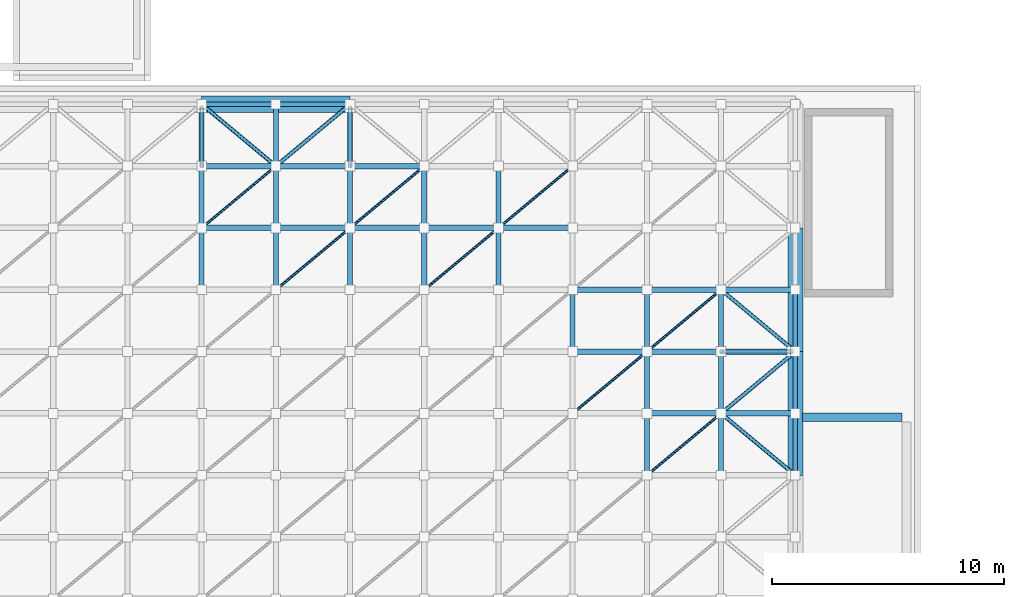
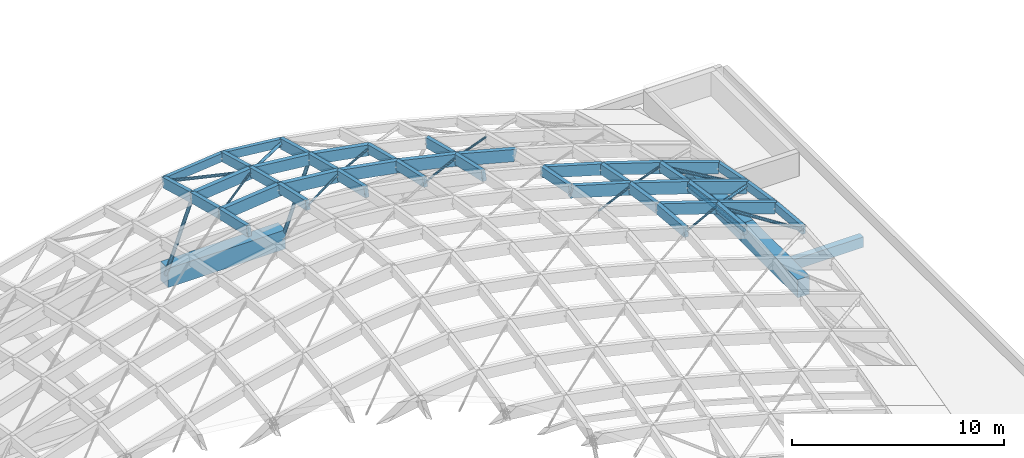
# One storey, part 21 of 40: 57 members, 4 beams.
"""IFC4 building model written with IfcOpenShell, lengths in metres."""

from ifc_helpers import new_model, si_unit, direction, frame, origin, origin_2d, place, context, subcontext, project, spatial, rectangle, hollow_circle, extrude, material, material_profile, profile_set, type_object, element, save


model = new_model("IFC4")

# Units and contexts
model_context = context("Model", 3, precision=1e-05, world=origin(), true_north=direction((0.0, 1.0)))
body_context = subcontext(model_context, "Body", "Model", "MODEL_VIEW")
ifc_project = project(units=[si_unit("LENGTHUNIT", "METRE"), si_unit("AREAUNIT", "SQUARE_METRE"), si_unit("VOLUMEUNIT", "CUBIC_METRE"), si_unit("PLANEANGLEUNIT", "RADIAN"), si_unit("MASSUNIT", "GRAM", prefix="KILO")], contexts=[model_context])

# Site, building, storey
site_placement = place(None, origin())
site = spatial("IfcSite", under=ifc_project, at=site_placement, CompositionType="ELEMENT")
building_placement = place(site_placement, origin())
building = spatial("IfcBuilding", under=site, at=building_placement, Name="Mzevani Central Library", CompositionType="ELEMENT")
storey_placement = place(building_placement, frame((0.0, 0.0, 26.699951171875)))
storey = spatial("IfcBuildingStorey", under=building, at=storey_placement, Name="RF", CompositionType="ELEMENT", Elevation=26.699951171875)

# Beam
ifc_material_1 = material(Name="Concrete C35/45", Category="concrete")
ifc_material_profile_1 = material_profile(ifc_material_1, rectangle(XDim=0.35009765625, YDim=0.60009765625, at=origin_2d()), Name="RC B350x600")
ifc_profile_set_1 = profile_set([ifc_material_profile_1], Name="Concrete C35/45")
beam_type_1 = type_object("IfcBeamType", Name="Beam RC 350x600", PredefinedType="BEAM", material=ifc_profile_set_1)
beam_1_placement = place(storey_placement, frame((159.300048828125, 61.60009765625, -13.4599609375), z_axis=(1.0, 0.0, 0.0), x_axis=(0.0, 1.0, 0.0)))
element("IfcBeam", 1, at=beam_1_placement, inside=storey, type_object=beam_type_1, Name="RF V1 Girder B-04 (159)", PredefinedType="BEAM", context=body_context, shape_type="SweptSolid", body=[
    extrude(rectangle(XDim=0.35009765625, YDim=0.60009765625, at=origin_2d()), origin(), (0.0, 0.0, 1.0), 4.300048828125),
])

# Members
ifc_material_2 = material(Name="Steel S355J2", Category="steel")
ifc_material_profile_2 = material_profile(ifc_material_2, hollow_circle(Radius=0.096923828125, WallThickness=0.010009765625, at=origin_2d()), Name="CHS 193.7x10.0")
ifc_profile_set_2 = profile_set([ifc_material_profile_2], Name="Steel S355J2")
member_type_1 = type_object("IfcMemberType", Name="Gridshell Corner Raker CHS 193.7", PredefinedType="BRACE", material=ifc_profile_set_2)
for number, where, z_axis, x_axis, name in (
    (2, (133.39990234375, 74.949951171875, -12.949951171875), (0.0, -0.387324471873, 0.921943465451), (1.0, 0.0, 0.0), "RF Gridshell North Springing Raker 3"),
    (3, (139.800048828125, 74.949951171875, -12.949951171875), (0.0, -0.387324471873, 0.921943465451), (1.0, 0.0, 0.0), "RF Gridshell North Springing Raker 4"),
):
    element("IfcMember", number, at=place(storey_placement, frame(where, z_axis=z_axis, x_axis=x_axis)), inside=storey, type_object=member_type_1, Name=name, PredefinedType="BRACE", context=body_context, shape_type="SweptSolid", body=[
        extrude(hollow_circle(Radius=0.096923828125, WallThickness=0.010009765625, at=origin_2d()), origin(), (0.0, 0.0, 1.0), 6.497314453125),
    ])
member_1_placement = place(storey_placement, frame((158.85009765625, 64.433349609375, -12.949951171875), z_axis=(-0.641107649177, 0.0, 0.767450964015), x_axis=(0.0, -1.0, 0.0)))
element("IfcMember", 4, at=member_1_placement, inside=storey, type_object=member_type_1, Name="RF Gridshell East Springing Raker 4", PredefinedType="BRACE", context=body_context, shape_type="SweptSolid", body=[
    extrude(hollow_circle(Radius=0.096923828125, WallThickness=0.010009765625, at=origin_2d()), origin(), (0.0, 0.0, 1.0), 4.757568359375),
])
ifc_material_profile_3 = material_profile(ifc_material_2, hollow_circle(Radius=0.05712890625, WallThickness=0.00634765625, at=origin_2d()), Name="CHS 114.3x6.3")
ifc_profile_set_3 = profile_set([ifc_material_profile_3], Name="Steel S355J2")
member_type_2 = type_object("IfcMemberType", Name="Gridshell Diagonal Brace CHS 114.3", PredefinedType="BRACE", material=ifc_profile_set_3)
member_2_placement = place(storey_placement, frame((133.39990234375, 69.7666015625, -6.2607421875), z_axis=(0.765599027774, 0.63797972081, -0.082704319753), x_axis=(-0.640172870191, 0.768230887345, 0.0)))
element("IfcMember", 5, at=member_2_placement, inside=storey, type_object=member_type_2, Name="RF Gridshell Steel Diagonal 7.11", PredefinedType="BRACE", context=body_context, shape_type="SweptSolid", body=[
    extrude(hollow_circle(Radius=0.05712890625, WallThickness=0.00634765625, at=origin_2d()), origin(), (0.0, 0.0, 1.0), 4.179931640625),
])
member_3_placement = place(storey_placement, frame((136.60009765625, 67.10009765625, -5.3212890625), z_axis=(0.749411248531, 0.624480785569, -0.220014838205), x_axis=(-0.640167103973, 0.768235692344, 0.0)))
element("IfcMember", 6, at=member_3_placement, inside=storey, type_object=member_type_2, Name="RF Gridshell Steel Diagonal 8.10", PredefinedType="BRACE", context=body_context, shape_type="SweptSolid", body=[
    extrude(hollow_circle(Radius=0.05712890625, WallThickness=0.00634765625, at=origin_2d()), origin(), (0.0, 0.0, 1.0), 4.27001953125),
])
member_4_placement = place(storey_placement, frame((139.800048828125, 69.7666015625, -6.2607421875), z_axis=(0.735482172478, 0.612929867245, -0.288761063521), x_axis=(-0.640201694382, 0.768206867003, 0.0)))
element("IfcMember", 7, at=member_4_placement, inside=storey, type_object=member_type_2, Name="RF Gridshell Steel Diagonal 9.11", PredefinedType="BRACE", context=body_context, shape_type="SweptSolid", body=[
    extrude(hollow_circle(Radius=0.05712890625, WallThickness=0.00634765625, at=origin_2d()), origin(), (0.0, 0.0, 1.0), 4.350830078125),
])
member_5_placement = place(storey_placement, frame((143.0, 67.10009765625, -6.231689453125), z_axis=(0.731581278638, 0.609623157495, -0.305202291264), x_axis=(-0.640167103973, 0.768235692344, 0.0)))
element("IfcMember", 8, at=member_5_placement, inside=storey, type_object=member_type_2, Name="RF Gridshell Steel Diagonal 10.10", PredefinedType="BRACE", context=body_context, shape_type="SweptSolid", body=[
    extrude(hollow_circle(Radius=0.05712890625, WallThickness=0.00634765625, at=origin_2d()), origin(), (0.0, 0.0, 1.0), 4.3740234375),
])
member_6_placement = place(storey_placement, frame((146.199951171875, 69.7666015625, -7.566650390625), z_axis=(0.721237530893, 0.601058789193, -0.344303290669), x_axis=(-0.640201694382, 0.768206867003, 0.0)))
element("IfcMember", 9, at=member_6_placement, inside=storey, type_object=member_type_2, Name="RF Gridshell Steel Diagonal 11.11", PredefinedType="BRACE", context=body_context, shape_type="SweptSolid", body=[
    extrude(hollow_circle(Radius=0.05712890625, WallThickness=0.00634765625, at=origin_2d()), origin(), (0.0, 0.0, 1.0), 4.436767578125),
])
member_7_placement = place(storey_placement, frame((149.39990234375, 61.7666015625, -6.875732421875), z_axis=(0.730151201, 0.608440766595, -0.310932560572), x_axis=(-0.640172870191, 0.768230887345, 0.0)))
element("IfcMember", 10, at=member_7_placement, inside=storey, type_object=member_type_2, Name="RF Gridshell Steel Diagonal 12.8", PredefinedType="BRACE", context=body_context, shape_type="SweptSolid", body=[
    extrude(hollow_circle(Radius=0.05712890625, WallThickness=0.00634765625, at=origin_2d()), origin(), (0.0, 0.0, 1.0), 4.3828125),
])
member_8_placement = place(storey_placement, frame((152.60009765625, 59.10009765625, -7.587890625), z_axis=(0.734415723871, 0.611985087061, -0.293441302045), x_axis=(-0.640167103973, 0.768235692344, 0.0)))
element("IfcMember", 11, at=member_8_placement, inside=storey, type_object=member_type_2, Name="RF Gridshell Steel Diagonal 13.7", PredefinedType="BRACE", context=body_context, shape_type="SweptSolid", body=[
    extrude(hollow_circle(Radius=0.05712890625, WallThickness=0.00634765625, at=origin_2d()), origin(), (0.0, 0.0, 1.0), 4.357177734375),
])
member_9_placement = place(storey_placement, frame((152.60009765625, 64.433349609375, -8.238525390625), z_axis=(0.719352413109, 0.599487785793, -0.350922356711), x_axis=(-0.640201694382, 0.768206867003, 0.0)))
element("IfcMember", 12, at=member_9_placement, inside=storey, type_object=member_type_2, Name="RF Gridshell Steel Diagonal 13.9", PredefinedType="BRACE", context=body_context, shape_type="SweptSolid", body=[
    extrude(hollow_circle(Radius=0.05712890625, WallThickness=0.00634765625, at=origin_2d()), origin(), (0.0, 0.0, 1.0), 4.448486328125),
])
ifc_material_3 = material(Name="Glulam GL28h", Category="wood")
ifc_material_profile_4 = material_profile(ifc_material_3, rectangle(XDim=0.199951171875, YDim=0.47998046875, at=origin_2d()), Name="GL28h 200x480")
ifc_profile_set_4 = profile_set([ifc_material_profile_4], Name="Glulam GL28h")
member_type_3 = type_object("IfcMemberType", Name="Gridshell Edge Rib GL28h 200x480", PredefinedType="RAFTER", material=ifc_profile_set_4)
member_10_placement = place(storey_placement, frame((133.39990234375, 75.10009765625, -7.6533203125), z_axis=(0.994621666406, 0.0, 0.103574807342), x_axis=(0.0, 1.0, 0.0)))
element("IfcMember", 13, at=member_10_placement, inside=storey, type_object=member_type_3, Name="RF Gridshell Glulam Arch Rib X13.7", PredefinedType="RAFTER", context=body_context, shape_type="SweptSolid", body=[
    extrude(rectangle(XDim=0.199951171875, YDim=0.47998046875, at=origin_2d()), origin(), (0.0, 0.0, 1.0), 3.217529296875),
])
member_11_placement = place(storey_placement, frame((136.60009765625, 75.10009765625, -7.320068359375), z_axis=(0.994620852304, 0.0, -0.103582624811), x_axis=(0.0, 1.0, 0.0)))
element("IfcMember", 14, at=member_11_placement, inside=storey, type_object=member_type_3, Name="RF Gridshell Glulam Arch Rib X13.8", PredefinedType="RAFTER", context=body_context, shape_type="SweptSolid", body=[
    extrude(rectangle(XDim=0.199951171875, YDim=0.47998046875, at=origin_2d()), origin(), (0.0, 0.0, 1.0), 3.21728515625),
])
member_12_placement = place(storey_placement, frame((159.0, 59.10009765625, -9.719970703125), z_axis=(0.0, 0.996039147696, -0.088915781817), x_axis=(-1.0, 0.0, 0.0)))
element("IfcMember", 15, at=member_12_placement, inside=storey, type_object=member_type_3, Name="RF Gridshell Glulam Transverse Rib Y15.7", PredefinedType="RAFTER", context=body_context, shape_type="SweptSolid", body=[
    extrude(rectangle(XDim=0.199951171875, YDim=0.47998046875, at=origin_2d()), origin(), (0.0, 0.0, 1.0), 2.677001953125),
])
member_13_placement = place(storey_placement, frame((159.0, 61.7666015625, -9.9580078125), z_axis=(0.0, 0.988241642061, -0.152900153354), x_axis=(-1.0, 0.0, 0.0)))
element("IfcMember", 16, at=member_13_placement, inside=storey, type_object=member_type_3, Name="RF Gridshell Glulam Transverse Rib Y15.8", PredefinedType="RAFTER", context=body_context, shape_type="SweptSolid", body=[
    extrude(rectangle(XDim=0.199951171875, YDim=0.47998046875, at=origin_2d()), origin(), (0.0, 0.0, 1.0), 2.698486328125),
])
member_14_placement = place(storey_placement, frame((159.0, 64.433349609375, -10.37060546875), z_axis=(0.0, 0.981479055934, -0.191569472421), x_axis=(-1.0, 0.0, 0.0)))
element("IfcMember", 17, at=member_14_placement, inside=storey, type_object=member_type_3, Name="RF Gridshell Glulam Transverse Rib Y15.9", PredefinedType="RAFTER", context=body_context, shape_type="SweptSolid", body=[
    extrude(rectangle(XDim=0.199951171875, YDim=0.47998046875, at=origin_2d()), origin(), (0.0, 0.0, 1.0), 2.717041015625),
])
ifc_material_profile_5 = material_profile(ifc_material_3, rectangle(XDim=0.239990234375, YDim=0.6201171875, at=origin_2d()), Name="GL28h 240x620")
ifc_profile_set_5 = profile_set([ifc_material_profile_5], Name="Glulam GL28h")
member_type_4 = type_object("IfcMemberType", Name="Gridshell Primary Rib GL28h 240x620", PredefinedType="RAFTER", material=ifc_profile_set_5)
member_15_placement = place(storey_placement, frame((152.60009765625, 61.7666015625, -7.865966796875), z_axis=(0.950986603107, 0.0, -0.30923208228), x_axis=(0.0, 1.0, 0.0)))
element("IfcMember", 18, at=member_15_placement, inside=storey, type_object=member_type_4, Name="RF Gridshell Glulam Arch Rib X8.13", PredefinedType="RAFTER", context=body_context, shape_type="SweptSolid", body=[
    extrude(rectangle(XDim=0.239990234375, YDim=0.6201171875, at=origin_2d()), origin(), (0.0, 0.0, 1.0), 3.364990234375),
])
member_16_placement = place(storey_placement, frame((155.800048828125, 61.7666015625, -8.906494140625), z_axis=(0.943711214964, 0.0, -0.330770528843), x_axis=(0.0, 1.0, 0.0)))
element("IfcMember", 19, at=member_16_placement, inside=storey, type_object=member_type_4, Name="RF Gridshell Glulam Arch Rib X8.14", PredefinedType="RAFTER", context=body_context, shape_type="SweptSolid", body=[
    extrude(rectangle(XDim=0.239990234375, YDim=0.6201171875, at=origin_2d()), origin(), (0.0, 0.0, 1.0), 3.390869140625),
])
member_17_placement = place(storey_placement, frame((149.39990234375, 67.10009765625, -7.848876953125), z_axis=(0.958635641973, 0.0, -0.284636093879), x_axis=(0.0, 1.0, 0.0)))
element("IfcMember", 20, at=member_17_placement, inside=storey, type_object=member_type_4, Name="RF Gridshell Glulam Arch Rib X10.12", PredefinedType="RAFTER", context=body_context, shape_type="SweptSolid", body=[
    extrude(rectangle(XDim=0.239990234375, YDim=0.6201171875, at=origin_2d()), origin(), (0.0, 0.0, 1.0), 3.33837890625),
])
member_18_placement = place(storey_placement, frame((152.60009765625, 67.10009765625, -8.799072265625), z_axis=(0.950986603107, 0.0, -0.30923208228), x_axis=(0.0, 1.0, 0.0)))
element("IfcMember", 21, at=member_18_placement, inside=storey, type_object=member_type_4, Name="RF Gridshell Glulam Arch Rib X10.13", PredefinedType="RAFTER", context=body_context, shape_type="SweptSolid", body=[
    extrude(rectangle(XDim=0.239990234375, YDim=0.6201171875, at=origin_2d()), origin(), (0.0, 0.0, 1.0), 3.364990234375),
])
member_19_placement = place(storey_placement, frame((155.800048828125, 67.10009765625, -9.839599609375), z_axis=(0.943711214964, 0.0, -0.330770528843), x_axis=(0.0, 1.0, 0.0)))
element("IfcMember", 22, at=member_19_placement, inside=storey, type_object=member_type_4, Name="RF Gridshell Glulam Arch Rib X10.14", PredefinedType="RAFTER", context=body_context, shape_type="SweptSolid", body=[
    extrude(rectangle(XDim=0.239990234375, YDim=0.6201171875, at=origin_2d()), origin(), (0.0, 0.0, 1.0), 3.390869140625),
])
member_20_placement = place(storey_placement, frame((133.39990234375, 72.433349609375, -6.979736328125), z_axis=(0.994621666406, 0.0, 0.103574807342), x_axis=(0.0, 1.0, 0.0)))
element("IfcMember", 23, at=member_20_placement, inside=storey, type_object=member_type_4, Name="RF Gridshell Glulam Arch Rib X12.7", PredefinedType="RAFTER", context=body_context, shape_type="SweptSolid", body=[
    extrude(rectangle(XDim=0.239990234375, YDim=0.6201171875, at=origin_2d()), origin(), (0.0, 0.0, 1.0), 3.217529296875),
])
member_21_placement = place(storey_placement, frame((136.60009765625, 72.433349609375, -6.646484375), z_axis=(0.994620852304, 0.0, -0.103582624811), x_axis=(0.0, 1.0, 0.0)))
element("IfcMember", 24, at=member_21_placement, inside=storey, type_object=member_type_4, Name="RF Gridshell Glulam Arch Rib X12.8", PredefinedType="RAFTER", context=body_context, shape_type="SweptSolid", body=[
    extrude(rectangle(XDim=0.239990234375, YDim=0.6201171875, at=origin_2d()), origin(), (0.0, 0.0, 1.0), 3.21728515625),
])
member_22_placement = place(storey_placement, frame((139.800048828125, 72.433349609375, -6.979736328125), z_axis=(0.984108094626, 0.0, -0.177570431357), x_axis=(0.0, 1.0, 0.0)))
element("IfcMember", 25, at=member_22_placement, inside=storey, type_object=member_type_4, Name="RF Gridshell Glulam Arch Rib X12.9", PredefinedType="RAFTER", context=body_context, shape_type="SweptSolid", body=[
    extrude(rectangle(XDim=0.239990234375, YDim=0.6201171875, at=origin_2d()), origin(), (0.0, 0.0, 1.0), 3.251708984375),
])
ifc_material_profile_6 = material_profile(ifc_material_3, rectangle(XDim=0.239990234375, YDim=0.679931640625, at=origin_2d()), Name="GL28h 240x680")
ifc_profile_set_6 = profile_set([ifc_material_profile_6], Name="Glulam GL28h")
member_type_5 = type_object("IfcMemberType", Name="Gridshell Primary Rib GL28h 240x680", PredefinedType="RAFTER", material=ifc_profile_set_6)
member_23_placement = place(storey_placement, frame((149.39990234375, 64.433349609375, -7.358154296875), z_axis=(0.958615684622, 0.0, -0.284703300292), x_axis=(0.0, 1.0, 0.0)))
element("IfcMember", 26, at=member_23_placement, inside=storey, type_object=member_type_5, Name="RF Gridshell Glulam Arch Rib X9.12", PredefinedType="RAFTER", context=body_context, shape_type="SweptSolid", body=[
    extrude(rectangle(XDim=0.239990234375, YDim=0.679931640625, at=origin_2d()), origin(), (0.0, 0.0, 1.0), 3.33837890625),
])
member_24_placement = place(storey_placement, frame((152.60009765625, 64.433349609375, -8.30859375), z_axis=(0.951007938159, 0.0, -0.309166462539), x_axis=(0.0, 1.0, 0.0)))
element("IfcMember", 27, at=member_24_placement, inside=storey, type_object=member_type_5, Name="RF Gridshell Glulam Arch Rib X9.13", PredefinedType="RAFTER", context=body_context, shape_type="SweptSolid", body=[
    extrude(rectangle(XDim=0.239990234375, YDim=0.679931640625, at=origin_2d()), origin(), (0.0, 0.0, 1.0), 3.36474609375),
])
member_25_placement = place(storey_placement, frame((155.800048828125, 64.433349609375, -9.348876953125), z_axis=(0.943711214964, 0.0, -0.330770528843), x_axis=(0.0, 1.0, 0.0)))
element("IfcMember", 28, at=member_25_placement, inside=storey, type_object=member_type_5, Name="RF Gridshell Glulam Arch Rib X9.14", PredefinedType="RAFTER", context=body_context, shape_type="SweptSolid", body=[
    extrude(rectangle(XDim=0.239990234375, YDim=0.679931640625, at=origin_2d()), origin(), (0.0, 0.0, 1.0), 3.390869140625),
])
member_26_placement = place(storey_placement, frame((133.39990234375, 69.7666015625, -6.330810546875), z_axis=(0.994621666406, 0.0, 0.103574807342), x_axis=(0.0, 1.0, 0.0)))
element("IfcMember", 29, at=member_26_placement, inside=storey, type_object=member_type_5, Name="RF Gridshell Glulam Arch Rib X11.7", PredefinedType="RAFTER", context=body_context, shape_type="SweptSolid", body=[
    extrude(rectangle(XDim=0.239990234375, YDim=0.679931640625, at=origin_2d()), origin(), (0.0, 0.0, 1.0), 3.217529296875),
])
member_27_placement = place(storey_placement, frame((136.60009765625, 69.7666015625, -5.99755859375), z_axis=(0.994620852304, 0.0, -0.103582624811), x_axis=(0.0, 1.0, 0.0)))
element("IfcMember", 30, at=member_27_placement, inside=storey, type_object=member_type_5, Name="RF Gridshell Glulam Arch Rib X11.8", PredefinedType="RAFTER", context=body_context, shape_type="SweptSolid", body=[
    extrude(rectangle(XDim=0.239990234375, YDim=0.679931640625, at=origin_2d()), origin(), (0.0, 0.0, 1.0), 3.21728515625),
])
member_28_placement = place(storey_placement, frame((139.800048828125, 69.7666015625, -6.330810546875), z_axis=(0.984121212692, 0.0, -0.177497714718), x_axis=(0.0, 1.0, 0.0)))
element("IfcMember", 31, at=member_28_placement, inside=storey, type_object=member_type_5, Name="RF Gridshell Glulam Arch Rib X11.9", PredefinedType="RAFTER", context=body_context, shape_type="SweptSolid", body=[
    extrude(rectangle(XDim=0.239990234375, YDim=0.679931640625, at=origin_2d()), origin(), (0.0, 0.0, 1.0), 3.25146484375),
])
member_29_placement = place(storey_placement, frame((143.0, 69.7666015625, -6.907958984375), z_axis=(0.975034107954, 0.0, -0.222055147039), x_axis=(0.0, 1.0, 0.0)))
element("IfcMember", 32, at=member_29_placement, inside=storey, type_object=member_type_5, Name="RF Gridshell Glulam Arch Rib X11.10", PredefinedType="RAFTER", context=body_context, shape_type="SweptSolid", body=[
    extrude(rectangle(XDim=0.239990234375, YDim=0.679931640625, at=origin_2d()), origin(), (0.0, 0.0, 1.0), 3.281982421875),
])
member_30_placement = place(storey_placement, frame((146.199951171875, 69.7666015625, -7.63671875), z_axis=(0.966604816788, 0.0, -0.256271590626), x_axis=(0.0, 1.0, 0.0)))
element("IfcMember", 33, at=member_30_placement, inside=storey, type_object=member_type_5, Name="RF Gridshell Glulam Arch Rib X11.11", PredefinedType="RAFTER", context=body_context, shape_type="SweptSolid", body=[
    extrude(rectangle(XDim=0.239990234375, YDim=0.679931640625, at=origin_2d()), origin(), (0.0, 0.0, 1.0), 3.310546875),
])

# Beams
ifc_material_4 = material(Name="Concrete C40/50", Category="concrete")
ifc_material_profile_7 = material_profile(ifc_material_4, rectangle(XDim=0.64990234375, YDim=1.050048828125, at=origin_2d()), Name="RC RB650x1050")
ifc_profile_set_7 = profile_set([ifc_material_profile_7], Name="Concrete C40/50")
beam_type_2 = type_object("IfcBeamType", Name="Gridshell Ring Beam RC 650x1050", PredefinedType="BEAM", material=ifc_profile_set_7)
for number, where, z_axis, x_axis, name in (
    (34, (159.0, 59.10009765625, -13.02490234375), (0.0, 1.0, 0.0), (-1.0, 0.0, 0.0), "RF Gridshell Ring Beam East Bay 4"),
    (35, (159.0, 64.433349609375, -13.02490234375), (0.0, 1.0, 0.0), (-1.0, 0.0, 0.0), "RF Gridshell Ring Beam East Bay 5"),
):
    element("IfcBeam", number, at=place(storey_placement, frame(where, z_axis=z_axis, x_axis=x_axis)), inside=storey, type_object=beam_type_2, Name=name, PredefinedType="BEAM", context=body_context, shape_type="SweptSolid", body=[
        extrude(rectangle(XDim=0.64990234375, YDim=1.050048828125, at=origin_2d()), origin(), (0.0, 0.0, 1.0), 5.333251953125),
    ])
ifc_material_profile_8 = material_profile(ifc_material_4, rectangle(XDim=0.699951171875, YDim=1.10009765625, at=origin_2d()), Name="RC RB700x1100")
ifc_profile_set_8 = profile_set([ifc_material_profile_8], Name="Concrete C40/50")
beam_type_3 = type_object("IfcBeamType", Name="Gridshell Ring Beam RC 700x1100", PredefinedType="BEAM", material=ifc_profile_set_8)
beam_2_placement = place(storey_placement, frame((133.39990234375, 75.10009765625, -13.050048828125), z_axis=(1.0, 0.0, 0.0), x_axis=(0.0, 1.0, 0.0)))
element("IfcBeam", 36, at=beam_2_placement, inside=storey, type_object=beam_type_3, Name="RF Gridshell Ring Beam North Bay 4", PredefinedType="BEAM", context=body_context, shape_type="SweptSolid", body=[
    extrude(rectangle(XDim=0.699951171875, YDim=1.10009765625, at=origin_2d()), origin(), (0.0, 0.0, 1.0), 6.400146484375),
])

# Members
ifc_material_profile_9 = material_profile(ifc_material_2, hollow_circle(Radius=0.084228515625, WallThickness=0.010009765625, at=origin_2d()), Name="CHS 168.3x10.0")
ifc_profile_set_9 = profile_set([ifc_material_profile_9], Name="Steel S355J2")
member_type_6 = type_object("IfcMemberType", Name="Gridshell Springing Brace CHS 168.3", PredefinedType="BRACE", material=ifc_profile_set_9)
for number, where, z_axis, x_axis, name in (
    (37, (133.39990234375, 75.10009765625, -7.68310546875), (0.743789262576, -0.619805471096, 0.250237309121), (0.640172870191, 0.768230887345, 0.0), "RF Gridshell Steel Diagonal 7.12"),
    (38, (136.60009765625, 72.433349609375, -6.6064453125), (0.743763909405, 0.619831630612, -0.25024787064), (-0.640201694382, 0.768206867003, 0.0), "RF Gridshell Steel Diagonal 8.12"),
):
    element("IfcMember", number, at=place(storey_placement, frame(where, z_axis=z_axis, x_axis=x_axis)), inside=storey, type_object=member_type_6, Name=name, PredefinedType="BRACE", context=body_context, shape_type="SweptSolid", body=[
        extrude(hollow_circle(Radius=0.084228515625, WallThickness=0.010009765625, at=origin_2d()), origin(), (0.0, 0.0, 1.0), 4.302490234375),
    ])
member_31_placement = place(storey_placement, frame((155.800048828125, 61.7666015625, -8.866455078125), z_axis=(0.751514693422, -0.62623357607, -0.207502225947), x_axis=(0.640167103973, 0.768235692344, 0.0)))
element("IfcMember", 39, at=member_31_placement, inside=storey, type_object=member_type_6, Name="RF Gridshell Steel Diagonal 14.7", PredefinedType="BRACE", context=body_context, shape_type="SweptSolid", body=[
    extrude(hollow_circle(Radius=0.084228515625, WallThickness=0.010009765625, at=origin_2d()), origin(), (0.0, 0.0, 1.0), 4.258056640625),
])
member_32_placement = place(storey_placement, frame((155.800048828125, 61.7666015625, -8.866455078125), z_axis=(0.720868076793, 0.600750896682, -0.345611886364), x_axis=(-0.640201694382, 0.768206867003, 0.0)))
element("IfcMember", 40, at=member_32_placement, inside=storey, type_object=member_type_6, Name="RF Gridshell Steel Diagonal 14.8", PredefinedType="BRACE", context=body_context, shape_type="SweptSolid", body=[
    extrude(hollow_circle(Radius=0.084228515625, WallThickness=0.010009765625, at=origin_2d()), origin(), (0.0, 0.0, 1.0), 4.43896484375),
])
member_33_placement = place(storey_placement, frame((155.800048828125, 67.10009765625, -9.799560546875), z_axis=(0.760331773381, -0.633638815949, -0.142819625091), x_axis=(0.640201694382, 0.768206867003, 0.0)))
element("IfcMember", 41, at=member_33_placement, inside=storey, type_object=member_type_6, Name="RF Gridshell Steel Diagonal 14.9", PredefinedType="BRACE", context=body_context, shape_type="SweptSolid", body=[
    extrude(hollow_circle(Radius=0.084228515625, WallThickness=0.010009765625, at=origin_2d()), origin(), (0.0, 0.0, 1.0), 4.208740234375),
])
ifc_material_profile_10 = material_profile(ifc_material_3, rectangle(XDim=0.219970703125, YDim=0.52001953125, at=origin_2d()), Name="GL28h 220x520")
ifc_profile_set_10 = profile_set([ifc_material_profile_10], Name="Glulam GL28h")
member_type_7 = type_object("IfcMemberType", Name="Gridshell Transverse Rib GL28h 220x520", PredefinedType="RAFTER", material=ifc_profile_set_10)
member_34_placement = place(storey_placement, frame((136.60009765625, 67.10009765625, -5.311279296875), z_axis=(0.0, 0.975118821578, -0.221682845081), x_axis=(-1.0, 0.0, 0.0)))
element("IfcMember", 42, at=member_34_placement, inside=storey, type_object=member_type_7, Name="RF Gridshell Glulam Transverse Rib Y8.10", PredefinedType="RAFTER", context=body_context, shape_type="SweptSolid", body=[
    extrude(rectangle(XDim=0.219970703125, YDim=0.52001953125, at=origin_2d()), origin(), (0.0, 0.0, 1.0), 2.734619140625),
])
member_35_placement = place(storey_placement, frame((136.60009765625, 69.7666015625, -5.91748046875), z_axis=(0.0, 0.969063231136, -0.246812588943), x_axis=(-1.0, 0.0, 0.0)))
element("IfcMember", 43, at=member_35_placement, inside=storey, type_object=member_type_7, Name="RF Gridshell Glulam Transverse Rib Y8.11", PredefinedType="RAFTER", context=body_context, shape_type="SweptSolid", body=[
    extrude(rectangle(XDim=0.219970703125, YDim=0.52001953125, at=origin_2d()), origin(), (0.0, 0.0, 1.0), 2.751953125),
])
member_36_placement = place(storey_placement, frame((136.60009765625, 72.433349609375, -6.5966796875), z_axis=(0.0, 0.963293940878, -0.268448847023), x_axis=(-1.0, 0.0, 0.0)))
element("IfcMember", 44, at=member_36_placement, inside=storey, type_object=member_type_7, Name="RF Gridshell Glulam Transverse Rib Y8.12", PredefinedType="RAFTER", context=body_context, shape_type="SweptSolid", body=[
    extrude(rectangle(XDim=0.219970703125, YDim=0.52001953125, at=origin_2d()), origin(), (0.0, 0.0, 1.0), 2.768310546875),
])
member_37_placement = place(storey_placement, frame((143.0, 67.10009765625, -6.2216796875), z_axis=(0.0, 0.975118821578, -0.221682845081), x_axis=(-1.0, 0.0, 0.0)))
element("IfcMember", 45, at=member_37_placement, inside=storey, type_object=member_type_7, Name="RF Gridshell Glulam Transverse Rib Y10.10", PredefinedType="RAFTER", context=body_context, shape_type="SweptSolid", body=[
    extrude(rectangle(XDim=0.219970703125, YDim=0.52001953125, at=origin_2d()), origin(), (0.0, 0.0, 1.0), 2.734619140625),
])
member_38_placement = place(storey_placement, frame((143.0, 69.7666015625, -6.827880859375), z_axis=(0.0, 0.969063231136, -0.246812588943), x_axis=(-1.0, 0.0, 0.0)))
element("IfcMember", 46, at=member_38_placement, inside=storey, type_object=member_type_7, Name="RF Gridshell Glulam Transverse Rib Y10.11", PredefinedType="RAFTER", context=body_context, shape_type="SweptSolid", body=[
    extrude(rectangle(XDim=0.219970703125, YDim=0.52001953125, at=origin_2d()), origin(), (0.0, 0.0, 1.0), 2.751953125),
])
member_39_placement = place(storey_placement, frame((149.39990234375, 64.433349609375, -7.278076171875), z_axis=(0.0, 0.981462157865, -0.191656026982), x_axis=(-1.0, 0.0, 0.0)))
element("IfcMember", 47, at=member_39_placement, inside=storey, type_object=member_type_7, Name="RF Gridshell Glulam Transverse Rib Y12.9", PredefinedType="RAFTER", context=body_context, shape_type="SweptSolid", body=[
    extrude(rectangle(XDim=0.219970703125, YDim=0.52001953125, at=origin_2d()), origin(), (0.0, 0.0, 1.0), 2.717041015625),
])
member_40_placement = place(storey_placement, frame((155.800048828125, 59.10009765625, -8.6181640625), z_axis=(0.0, 0.996031067036, -0.089006255395), x_axis=(-1.0, 0.0, 0.0)))
element("IfcMember", 48, at=member_40_placement, inside=storey, type_object=member_type_7, Name="RF Gridshell Glulam Transverse Rib Y14.7", PredefinedType="RAFTER", context=body_context, shape_type="SweptSolid", body=[
    extrude(rectangle(XDim=0.219970703125, YDim=0.52001953125, at=origin_2d()), origin(), (0.0, 0.0, 1.0), 2.67724609375),
])
member_41_placement = place(storey_placement, frame((155.800048828125, 61.7666015625, -8.8564453125), z_axis=(0.0, 0.988255309049, -0.152811793187), x_axis=(-1.0, 0.0, 0.0)))
element("IfcMember", 49, at=member_41_placement, inside=storey, type_object=member_type_7, Name="RF Gridshell Glulam Transverse Rib Y14.8", PredefinedType="RAFTER", context=body_context, shape_type="SweptSolid", body=[
    extrude(rectangle(XDim=0.219970703125, YDim=0.52001953125, at=origin_2d()), origin(), (0.0, 0.0, 1.0), 2.698486328125),
])
member_42_placement = place(storey_placement, frame((155.800048828125, 64.433349609375, -9.268798828125), z_axis=(0.0, 0.981462157865, -0.191656026982), x_axis=(-1.0, 0.0, 0.0)))
element("IfcMember", 50, at=member_42_placement, inside=storey, type_object=member_type_7, Name="RF Gridshell Glulam Transverse Rib Y14.9", PredefinedType="RAFTER", context=body_context, shape_type="SweptSolid", body=[
    extrude(rectangle(XDim=0.219970703125, YDim=0.52001953125, at=origin_2d()), origin(), (0.0, 0.0, 1.0), 2.717041015625),
])
ifc_material_profile_11 = material_profile(ifc_material_3, rectangle(XDim=0.219970703125, YDim=0.580078125, at=origin_2d()), Name="GL28h 220x580")
ifc_profile_set_11 = profile_set([ifc_material_profile_11], Name="Glulam GL28h")
member_type_8 = type_object("IfcMemberType", Name="Gridshell Transverse Rib GL28h 220x580", PredefinedType="RAFTER", material=ifc_profile_set_11)
member_43_placement = place(storey_placement, frame((133.39990234375, 67.10009765625, -5.674560546875), z_axis=(0.0, 0.975118821578, -0.221682845081), x_axis=(-1.0, 0.0, 0.0)))
element("IfcMember", 51, at=member_43_placement, inside=storey, type_object=member_type_8, Name="RF Gridshell Glulam Transverse Rib Y7.10", PredefinedType="RAFTER", context=body_context, shape_type="SweptSolid", body=[
    extrude(rectangle(XDim=0.219970703125, YDim=0.580078125, at=origin_2d()), origin(), (0.0, 0.0, 1.0), 2.734619140625),
])
member_44_placement = place(storey_placement, frame((133.39990234375, 69.7666015625, -6.28076171875), z_axis=(0.0, 0.969084447248, -0.246729272892), x_axis=(-1.0, 0.0, 0.0)))
element("IfcMember", 52, at=member_44_placement, inside=storey, type_object=member_type_8, Name="RF Gridshell Glulam Transverse Rib Y7.11", PredefinedType="RAFTER", context=body_context, shape_type="SweptSolid", body=[
    extrude(rectangle(XDim=0.219970703125, YDim=0.580078125, at=origin_2d()), origin(), (0.0, 0.0, 1.0), 2.751708984375),
])
member_45_placement = place(storey_placement, frame((133.39990234375, 72.433349609375, -6.959716796875), z_axis=(0.0, 0.963271132564, -0.268530678262), x_axis=(-1.0, 0.0, 0.0)))
element("IfcMember", 53, at=member_45_placement, inside=storey, type_object=member_type_8, Name="RF Gridshell Glulam Transverse Rib Y7.12", PredefinedType="RAFTER", context=body_context, shape_type="SweptSolid", body=[
    extrude(rectangle(XDim=0.219970703125, YDim=0.580078125, at=origin_2d()), origin(), (0.0, 0.0, 1.0), 2.768310546875),
])
member_46_placement = place(storey_placement, frame((139.800048828125, 67.10009765625, -5.674560546875), z_axis=(0.0, 0.975118821578, -0.221682845081), x_axis=(-1.0, 0.0, 0.0)))
element("IfcMember", 54, at=member_46_placement, inside=storey, type_object=member_type_8, Name="RF Gridshell Glulam Transverse Rib Y9.10", PredefinedType="RAFTER", context=body_context, shape_type="SweptSolid", body=[
    extrude(rectangle(XDim=0.219970703125, YDim=0.580078125, at=origin_2d()), origin(), (0.0, 0.0, 1.0), 2.734619140625),
])
member_47_placement = place(storey_placement, frame((139.800048828125, 69.7666015625, -6.28076171875), z_axis=(0.0, 0.969084447248, -0.246729272892), x_axis=(-1.0, 0.0, 0.0)))
element("IfcMember", 55, at=member_47_placement, inside=storey, type_object=member_type_8, Name="RF Gridshell Glulam Transverse Rib Y9.11", PredefinedType="RAFTER", context=body_context, shape_type="SweptSolid", body=[
    extrude(rectangle(XDim=0.219970703125, YDim=0.580078125, at=origin_2d()), origin(), (0.0, 0.0, 1.0), 2.751708984375),
])
member_48_placement = place(storey_placement, frame((139.800048828125, 72.433349609375, -6.959716796875), z_axis=(0.0, 0.963271132564, -0.268530678262), x_axis=(-1.0, 0.0, 0.0)))
element("IfcMember", 56, at=member_48_placement, inside=storey, type_object=member_type_8, Name="RF Gridshell Glulam Transverse Rib Y9.12", PredefinedType="RAFTER", context=body_context, shape_type="SweptSolid", body=[
    extrude(rectangle(XDim=0.219970703125, YDim=0.580078125, at=origin_2d()), origin(), (0.0, 0.0, 1.0), 2.768310546875),
])
member_49_placement = place(storey_placement, frame((146.199951171875, 67.10009765625, -6.98046875), z_axis=(0.0, 0.975118821578, -0.221682845081), x_axis=(-1.0, 0.0, 0.0)))
element("IfcMember", 57, at=member_49_placement, inside=storey, type_object=member_type_8, Name="RF Gridshell Glulam Transverse Rib Y11.10", PredefinedType="RAFTER", context=body_context, shape_type="SweptSolid", body=[
    extrude(rectangle(XDim=0.219970703125, YDim=0.580078125, at=origin_2d()), origin(), (0.0, 0.0, 1.0), 2.734619140625),
])
member_50_placement = place(storey_placement, frame((146.199951171875, 69.7666015625, -7.586669921875), z_axis=(0.0, 0.969084447248, -0.246729272892), x_axis=(-1.0, 0.0, 0.0)))
element("IfcMember", 58, at=member_50_placement, inside=storey, type_object=member_type_8, Name="RF Gridshell Glulam Transverse Rib Y11.11", PredefinedType="RAFTER", context=body_context, shape_type="SweptSolid", body=[
    extrude(rectangle(XDim=0.219970703125, YDim=0.580078125, at=origin_2d()), origin(), (0.0, 0.0, 1.0), 2.751708984375),
])
member_51_placement = place(storey_placement, frame((152.60009765625, 59.10009765625, -7.60791015625), z_axis=(0.0, 0.996039147696, -0.088915781817), x_axis=(-1.0, 0.0, 0.0)))
element("IfcMember", 59, at=member_51_placement, inside=storey, type_object=member_type_8, Name="RF Gridshell Glulam Transverse Rib Y13.7", PredefinedType="RAFTER", context=body_context, shape_type="SweptSolid", body=[
    extrude(rectangle(XDim=0.219970703125, YDim=0.580078125, at=origin_2d()), origin(), (0.0, 0.0, 1.0), 2.677001953125),
])
member_52_placement = place(storey_placement, frame((152.60009765625, 61.7666015625, -7.845947265625), z_axis=(0.0, 0.988241642061, -0.152900153354), x_axis=(-1.0, 0.0, 0.0)))
element("IfcMember", 60, at=member_52_placement, inside=storey, type_object=member_type_8, Name="RF Gridshell Glulam Transverse Rib Y13.8", PredefinedType="RAFTER", context=body_context, shape_type="SweptSolid", body=[
    extrude(rectangle(XDim=0.219970703125, YDim=0.580078125, at=origin_2d()), origin(), (0.0, 0.0, 1.0), 2.698486328125),
])
member_53_placement = place(storey_placement, frame((152.60009765625, 64.433349609375, -8.258544921875), z_axis=(0.0, 0.981462157865, -0.191656026982), x_axis=(-1.0, 0.0, 0.0)))
element("IfcMember", 61, at=member_53_placement, inside=storey, type_object=member_type_8, Name="RF Gridshell Glulam Transverse Rib Y13.9", PredefinedType="RAFTER", context=body_context, shape_type="SweptSolid", body=[
    extrude(rectangle(XDim=0.219970703125, YDim=0.580078125, at=origin_2d()), origin(), (0.0, 0.0, 1.0), 2.717041015625),
])

save(model, "model.ifc")
